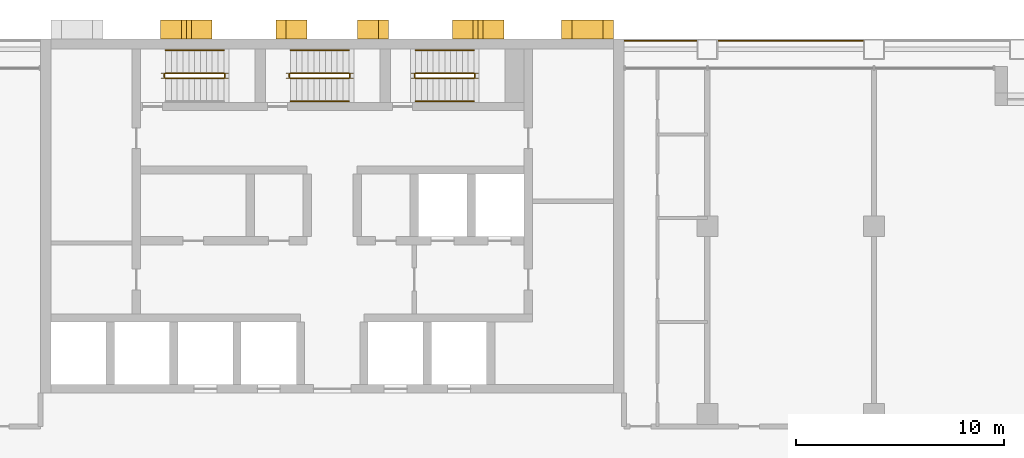
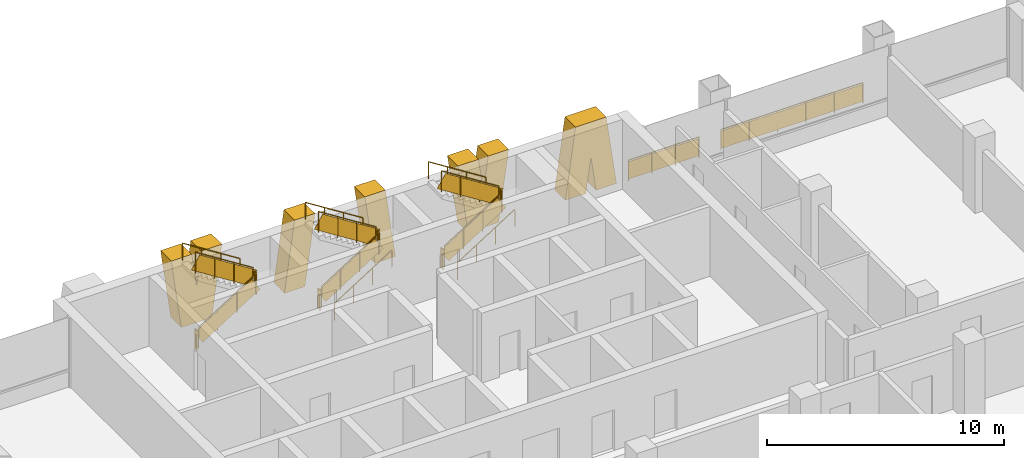
# One storey, part 12 of 13: 19 railings, 5 shading devices.
"""IFC4 building model written with IfcOpenShell, lengths in metres."""

from ifc_helpers import new_model, si_unit, direction, frame, origin, origin_2d, place, context, subcontext, project, spatial, polyline, rectangle, circle, outline, extrude, material, layer, layer_set, type_object, element, save


model = new_model("IFC4")

# Units and contexts
model_context = context("Model", 3, precision=1e-05, world=origin(), true_north=direction((0.0, 1.0)))
body_context = subcontext(model_context, "Body", "Model", "MODEL_VIEW")
ifc_project = project(units=[si_unit("LENGTHUNIT", "METRE"), si_unit("AREAUNIT", "SQUARE_METRE"), si_unit("VOLUMEUNIT", "CUBIC_METRE"), si_unit("PLANEANGLEUNIT", "RADIAN"), si_unit("MASSUNIT", "GRAM", prefix="KILO")], contexts=[model_context])

# Site, building, storey
site_placement = place(None, origin())
site = spatial("IfcSite", under=ifc_project, at=site_placement, CompositionType="ELEMENT")
building_placement = place(site_placement, origin())
building = spatial("IfcBuilding", under=site, at=building_placement, Name="Vidyagriha Tower", CompositionType="ELEMENT")
storey_placement = place(building_placement, frame((0.0, 0.0, 29.89990234375)))
storey = spatial("IfcBuildingStorey", under=building, at=storey_placement, Name="L07", CompositionType="ELEMENT", Elevation=29.89990234375)

# Shading devices
ifc_material_1 = material(Name="Precast concrete C40/50 with brick facing", Category="concrete")
ifc_layer_1 = layer(ifc_material_1, 1.0)
ifc_layer_set_1 = layer_set([ifc_layer_1], Name="Precast concrete C40/50 with brick facing")
shading_device_type_1 = type_object("IfcShadingDeviceType", Name="Brick-faced rear rib arm leaning 8 degrees", PredefinedType="USERDEFINED", material=ifc_layer_set_1)
shading_device_1_placement = place(storey_placement, frame((2.708984375, 20.449951171875, 0.0), z_axis=(0.0, 0.0, 1.0), x_axis=(-1.0, 0.0, 0.0)))
element("IfcShadingDevice", 1, at=shading_device_1_placement, inside=storey, type_object=shading_device_type_1, Name="Rear rib arm L07 R08.3a", ObjectType="BLADE FIN", PredefinedType="USERDEFINED", context=body_context, shape_type="SweptSolid", body=[
    extrude(outline(polyline([(0.0, 0.0), (1.0, 0.0), (1.490966796875, 3.60009765625), (0.490966796875, 3.60009765625), (0.0, 0.0)])), frame((0.0, 0.449951171875, 0.0), z_axis=(0.0, -1.0, 0.0), x_axis=(1.0, 0.0, 0.0)), (0.0, 0.0, 1.0), 0.89990234375),
])
shading_device_2_placement = place(storey_placement, frame((-1.21826171875, 20.449951171875, 0.0), z_axis=(0.0, 0.0, 1.0), x_axis=(-1.0, 0.0, 0.0)))
element("IfcShadingDevice", 2, at=shading_device_2_placement, inside=storey, type_object=shading_device_type_1, Name="Rear rib arm L07 R08.3b", ObjectType="BLADE FIN", PredefinedType="USERDEFINED", context=body_context, shape_type="SweptSolid", body=[
    extrude(outline(polyline([(0.490966796875, 0.0), (1.490966796875, 0.0), (1.0, 3.60009765625), (0.0, 3.60009765625), (0.490966796875, 0.0)])), frame((0.0, 0.449951171875, 0.0), z_axis=(0.0, -1.0, 0.0), x_axis=(1.0, 0.0, 0.0)), (0.0, 0.0, 1.0), 0.89990234375),
])
ifc_material_2 = material(Name="Precast concrete C40/50 with brick facing", Category="concrete")
ifc_layer_2 = layer(ifc_material_2, 1.0)
ifc_layer_set_2 = layer_set([ifc_layer_2], Name="Precast concrete C40/50 with brick facing")
shading_device_type_2 = type_object("IfcShadingDeviceType", Name="Brick-faced rear rib forking 8 degrees", PredefinedType="USERDEFINED", material=ifc_layer_set_2)
shading_device_3_placement = place(storey_placement, frame((13.5, 20.449951171875, 0.0), z_axis=(0.0, 0.0, 1.0), x_axis=(-1.0, 0.0, 0.0)))
element("IfcShadingDevice", 3, at=shading_device_3_placement, inside=storey, type_object=shading_device_type_2, Name="Rear rib fork L07 R08.1a", ObjectType="BLADE FIN", PredefinedType="USERDEFINED", context=body_context, shape_type="SweptSolid", body=[
    extrude(outline(polyline([(1.0, 0.0), (1.25, 1.800048828125), (1.5, 0.0), (2.5, 0.0), (2.0, 3.60009765625), (0.5, 3.60009765625), (0.0, 0.0), (1.0, 0.0)])), frame((0.0, 0.449951171875, 0.0), z_axis=(0.0, -1.0, 0.0), x_axis=(1.0, 0.0, 0.0)), (0.0, 0.0, 1.0), 0.89990234375),
])
for number, where, z_axis, x_axis, name in (
    (4, (8.236328125, 20.449951171875, 0.0), (0.0, 0.0, 1.0), (-1.0, 0.0, 0.0), "Rear rib fork L07 R08.2a"),
    (5, (-5.763671875, 20.449951171875, 0.0), (0.0, 0.0, 1.0), (-1.0, 0.0, 0.0), "Rear rib fork L07 R08.4a"),
):
    element("IfcShadingDevice", number, at=place(storey_placement, frame(where, z_axis=z_axis, x_axis=x_axis)), inside=storey, type_object=shading_device_type_2, Name=name, ObjectType="BLADE FIN", PredefinedType="USERDEFINED", context=body_context, shape_type="SweptSolid", body=[
        extrude(outline(polyline([(0.490966796875, 0.0), (1.98193359375, 0.0), (2.472900390625, 3.60009765625), (1.472900390625, 3.60009765625), (1.236328125, 1.86669921875), (1.0, 3.60009765625), (0.0, 3.60009765625), (0.490966796875, 0.0)])), frame((0.0, 0.449951171875, 0.0), z_axis=(0.0, -1.0, 0.0), x_axis=(1.0, 0.0, 0.0)), (0.0, 0.0, 1.0), 0.89990234375),
    ])

# Railings
ifc_material_3 = material(Name="Steel ASTM A500 Grade C black painted", Category="steel")
railing_type_1 = type_object("IfcRailingType", Name="Gallery guard 1100", PredefinedType="GUARDRAIL", material=ifc_material_3)
railing_1_placement = place(storey_placement, frame((14.030029296875, 19.89990234375, 0.0)))
element("IfcRailing", 6, at=railing_1_placement, inside=storey, type_object=railing_type_1, Name="Gallery guard L07 18", PredefinedType="GUARDRAIL", context=body_context, shape_type="SweptSolid", body=[
    extrude(circle(Radius=0.02490234375, at=origin_2d()), frame((0.0, 0.0, 1.0751953125), z_axis=(1.0, 0.0, 0.0), x_axis=(0.0, 1.0, 0.0)), (0.0, 0.0, 1.0), 3.43994140625),
    extrude(circle(Radius=0.02001953125, at=origin_2d()), origin(), (0.0, 0.0, 1.0), 1.050048828125),
    extrude(circle(Radius=0.02001953125, at=origin_2d()), frame((1.146728515625, 0.0, 0.0)), (0.0, 0.0, 1.0), 1.050048828125),
    extrude(circle(Radius=0.02001953125, at=origin_2d()), frame((2.293212890625, 0.0, 0.0)), (0.0, 0.0, 1.0), 1.050048828125),
    extrude(circle(Radius=0.02001953125, at=origin_2d()), frame((3.43994140625, 0.0, 0.0)), (0.0, 0.0, 1.0), 1.050048828125),
    extrude(rectangle(XDim=0.010009765625, YDim=0.900146484375, at=origin_2d()), frame((0.0, 0.0, 0.550048828125), z_axis=(1.0, 0.0, 0.0), x_axis=(0.0, 1.0, 0.0)), (0.0, 0.0, 1.0), 3.43994140625),
])
railing_2_placement = place(storey_placement, frame((18.530029296875, 19.89990234375, 0.0)))
element("IfcRailing", 7, at=railing_2_placement, inside=storey, type_object=railing_type_1, Name="Gallery guard L07 20", PredefinedType="GUARDRAIL", context=body_context, shape_type="SweptSolid", body=[
    extrude(circle(Radius=0.02490234375, at=origin_2d()), frame((0.0, 0.0, 1.0751953125), z_axis=(1.0, 0.0, 0.0), x_axis=(0.0, 1.0, 0.0)), (0.0, 0.0, 1.0), 6.93994140625),
    extrude(circle(Radius=0.02001953125, at=origin_2d()), origin(), (0.0, 0.0, 1.0), 1.050048828125),
    extrude(circle(Radius=0.02001953125, at=origin_2d()), frame((1.387939453125, 0.0, 0.0)), (0.0, 0.0, 1.0), 1.050048828125),
    extrude(circle(Radius=0.02001953125, at=origin_2d()), frame((2.77587890625, 0.0, 0.0)), (0.0, 0.0, 1.0), 1.050048828125),
    extrude(circle(Radius=0.02001953125, at=origin_2d()), frame((4.1640625, 0.0, 0.0)), (0.0, 0.0, 1.0), 1.050048828125),
    extrude(circle(Radius=0.02001953125, at=origin_2d()), frame((5.552001953125, 0.0, 0.0)), (0.0, 0.0, 1.0), 1.050048828125),
    extrude(circle(Radius=0.02001953125, at=origin_2d()), frame((6.93994140625, 0.0, 0.0)), (0.0, 0.0, 1.0), 1.050048828125),
    extrude(rectangle(XDim=0.010009765625, YDim=0.900146484375, at=origin_2d()), frame((0.0, 0.0, 0.550048828125), z_axis=(1.0, 0.0, 0.0), x_axis=(0.0, 1.0, 0.0)), (0.0, 0.0, 1.0), 6.93994140625),
])
ifc_material_4 = material(Name="Steel ASTM A500 Grade C", Category="steel")
railing_type_2 = type_object("IfcRailingType", Name="Stair guard 1100 mm, steel balustrade", PredefinedType="GUARDRAIL", material=ifc_material_4)
railing_3_placement = place(storey_placement, frame((-8.0, 18.10009765625, 0.177490234375)))
element("IfcRailing", 8, at=railing_3_placement, inside=storey, type_object=railing_type_2, Name="L07 ST1 stair guard 1", PredefinedType="GUARDRAIL", context=body_context, shape_type="SweptSolid", body=[
    extrude(circle(Radius=0.02392578125, at=origin_2d()), frame((0.0, 0.0, 1.076171875), z_axis=(0.844908973607, 0.0, 0.534910110503), x_axis=(0.0, 1.0, 0.0)), (0.0, 0.0, 1.0), 3.31396484375),
    extrude(circle(Radius=0.02099609375, at=origin_2d()), origin(), (0.0, 0.0, 1.0), 1.052001953125),
    extrude(circle(Radius=0.02099609375, at=origin_2d()), frame((0.933349609375, 0.0, 0.5908203125)), (0.0, 0.0, 1.0), 1.052001953125),
    extrude(circle(Radius=0.02099609375, at=origin_2d()), frame((1.86669921875, 0.0, 1.181884765625)), (0.0, 0.0, 1.0), 1.052001953125),
    extrude(circle(Radius=0.02099609375, at=origin_2d()), frame((2.800048828125, 0.0, 1.772705078125)), (0.0, 0.0, 1.0), 1.052001953125),
    extrude(rectangle(XDim=0.010009765625, YDim=0.76220703125, at=origin_2d()), frame((0.0, 0.0, 0.551025390625), z_axis=(0.844908973607, 0.0, 0.534910110503), x_axis=(0.0, 1.0, 0.0)), (0.0, 0.0, 1.0), 3.31396484375),
])
railing_4_placement = place(storey_placement, frame((-5.14990234375, 18.14990234375, 1.9501953125)))
element("IfcRailing", 9, at=railing_4_placement, inside=storey, type_object=railing_type_2, Name="L07 ST1 stair guard 2", PredefinedType="GUARDRAIL", context=body_context, shape_type="SweptSolid", body=[
    extrude(circle(Radius=0.02392578125, at=origin_2d()), frame((0.0, 0.0, 1.076171875), z_axis=(0.0, 1.0, 0.0), x_axis=(-1.0, 0.0, 0.0)), (0.0, 0.0, 1.0), 0.150146484375),
    extrude(circle(Radius=0.02099609375, at=origin_2d()), origin(), (0.0, 0.0, 1.0), 1.052001953125),
    extrude(circle(Radius=0.02099609375, at=origin_2d()), frame((0.0, 0.150146484375, 0.0)), (0.0, 0.0, 1.0), 1.052001953125),
    extrude(rectangle(XDim=0.010009765625, YDim=0.902099609375, at=origin_2d()), frame((0.0, 0.0, 0.551025390625), z_axis=(0.0, 1.0, 0.0), x_axis=(-1.0, 0.0, 0.0)), (0.0, 0.0, 1.0), 0.150146484375),
])
railing_5_placement = place(storey_placement, frame((-5.199951171875, 18.35009765625, 2.12744140625)))
element("IfcRailing", 10, at=railing_5_placement, inside=storey, type_object=railing_type_2, Name="L07 ST1 stair guard 3", PredefinedType="GUARDRAIL", context=body_context, shape_type="SweptSolid", body=[
    extrude(circle(Radius=0.02392578125, at=origin_2d()), frame((0.0, 0.0, 1.076171875), z_axis=(-0.844908973607, 0.0, 0.534910110503), x_axis=(0.0, -1.0, 0.0)), (0.0, 0.0, 1.0), 3.31396484375),
    extrude(circle(Radius=0.02099609375, at=origin_2d()), origin(), (0.0, 0.0, 1.0), 1.052001953125),
    extrude(circle(Radius=0.02099609375, at=origin_2d()), frame((-0.933349609375, 0.0, 0.5908203125)), (0.0, 0.0, 1.0), 1.052001953125),
    extrude(circle(Radius=0.02099609375, at=origin_2d()), frame((-1.86669921875, 0.0, 1.181884765625)), (0.0, 0.0, 1.0), 1.052001953125),
    extrude(circle(Radius=0.02099609375, at=origin_2d()), frame((-2.800048828125, 0.0, 1.772705078125)), (0.0, 0.0, 1.0), 1.052001953125),
    extrude(rectangle(XDim=0.010009765625, YDim=0.76220703125, at=origin_2d()), frame((0.0, 0.0, 0.551025390625), z_axis=(-0.844908973607, 0.0, 0.534910110503), x_axis=(0.0, -1.0, 0.0)), (0.0, 0.0, 1.0), 3.31396484375),
])
railing_6_placement = place(storey_placement, frame((-8.050048828125, 18.14990234375, 0.0)))
element("IfcRailing", 11, at=railing_6_placement, inside=storey, type_object=railing_type_2, Name="L07 ST1 stair guard 4", PredefinedType="GUARDRAIL", context=body_context, shape_type="SweptSolid", body=[
    extrude(circle(Radius=0.02392578125, at=origin_2d()), frame((0.0, 0.0, 1.076171875), z_axis=(0.0, 1.0, 0.0), x_axis=(-1.0, 0.0, 0.0)), (0.0, 0.0, 1.0), 0.150146484375),
    extrude(circle(Radius=0.02099609375, at=origin_2d()), origin(), (0.0, 0.0, 1.0), 1.052001953125),
    extrude(circle(Radius=0.02099609375, at=origin_2d()), frame((0.0, 0.150146484375, 0.0)), (0.0, 0.0, 1.0), 1.052001953125),
    extrude(rectangle(XDim=0.010009765625, YDim=0.902099609375, at=origin_2d()), frame((0.0, 0.0, 0.551025390625), z_axis=(0.0, 1.0, 0.0), x_axis=(-1.0, 0.0, 0.0)), (0.0, 0.0, 1.0), 0.150146484375),
])
railing_7_placement = place(storey_placement, frame((-2.0, 18.10009765625, 0.177490234375)))
element("IfcRailing", 12, at=railing_7_placement, inside=storey, type_object=railing_type_2, Name="L07 ST2 stair guard 1", PredefinedType="GUARDRAIL", context=body_context, shape_type="SweptSolid", body=[
    extrude(circle(Radius=0.02392578125, at=origin_2d()), frame((0.0, 0.0, 1.076171875), z_axis=(0.844908973607, 0.0, 0.534910110503), x_axis=(0.0, 1.0, 0.0)), (0.0, 0.0, 1.0), 3.31396484375),
    extrude(circle(Radius=0.02099609375, at=origin_2d()), origin(), (0.0, 0.0, 1.0), 1.052001953125),
    extrude(circle(Radius=0.02099609375, at=origin_2d()), frame((0.933349609375, 0.0, 0.5908203125)), (0.0, 0.0, 1.0), 1.052001953125),
    extrude(circle(Radius=0.02099609375, at=origin_2d()), frame((1.86669921875, 0.0, 1.181884765625)), (0.0, 0.0, 1.0), 1.052001953125),
    extrude(circle(Radius=0.02099609375, at=origin_2d()), frame((2.800048828125, 0.0, 1.772705078125)), (0.0, 0.0, 1.0), 1.052001953125),
    extrude(rectangle(XDim=0.010009765625, YDim=0.76220703125, at=origin_2d()), frame((0.0, 0.0, 0.551025390625), z_axis=(0.844908973607, 0.0, 0.534910110503), x_axis=(0.0, 1.0, 0.0)), (0.0, 0.0, 1.0), 3.31396484375),
])
railing_8_placement = place(storey_placement, frame((0.85009765625, 18.14990234375, 1.9501953125)))
element("IfcRailing", 13, at=railing_8_placement, inside=storey, type_object=railing_type_2, Name="L07 ST2 stair guard 2", PredefinedType="GUARDRAIL", context=body_context, shape_type="SweptSolid", body=[
    extrude(circle(Radius=0.02392578125, at=origin_2d()), frame((0.0, 0.0, 1.076171875), z_axis=(0.0, 1.0, 0.0), x_axis=(-1.0, 0.0, 0.0)), (0.0, 0.0, 1.0), 0.150146484375),
    extrude(circle(Radius=0.02099609375, at=origin_2d()), origin(), (0.0, 0.0, 1.0), 1.052001953125),
    extrude(circle(Radius=0.02099609375, at=origin_2d()), frame((0.0, 0.150146484375, 0.0)), (0.0, 0.0, 1.0), 1.052001953125),
    extrude(rectangle(XDim=0.010009765625, YDim=0.902099609375, at=origin_2d()), frame((0.0, 0.0, 0.551025390625), z_axis=(0.0, 1.0, 0.0), x_axis=(-1.0, 0.0, 0.0)), (0.0, 0.0, 1.0), 0.150146484375),
])
railing_9_placement = place(storey_placement, frame((0.800048828125, 18.35009765625, 2.12744140625)))
element("IfcRailing", 14, at=railing_9_placement, inside=storey, type_object=railing_type_2, Name="L07 ST2 stair guard 3", PredefinedType="GUARDRAIL", context=body_context, shape_type="SweptSolid", body=[
    extrude(circle(Radius=0.02392578125, at=origin_2d()), frame((0.0, 0.0, 1.076171875), z_axis=(-0.844908973607, 0.0, 0.534910110503), x_axis=(0.0, -1.0, 0.0)), (0.0, 0.0, 1.0), 3.31396484375),
    extrude(circle(Radius=0.02099609375, at=origin_2d()), origin(), (0.0, 0.0, 1.0), 1.052001953125),
    extrude(circle(Radius=0.02099609375, at=origin_2d()), frame((-0.933349609375, 0.0, 0.5908203125)), (0.0, 0.0, 1.0), 1.052001953125),
    extrude(circle(Radius=0.02099609375, at=origin_2d()), frame((-1.86669921875, 0.0, 1.181884765625)), (0.0, 0.0, 1.0), 1.052001953125),
    extrude(circle(Radius=0.02099609375, at=origin_2d()), frame((-2.800048828125, 0.0, 1.772705078125)), (0.0, 0.0, 1.0), 1.052001953125),
    extrude(rectangle(XDim=0.010009765625, YDim=0.76220703125, at=origin_2d()), frame((0.0, 0.0, 0.551025390625), z_axis=(-0.844908973607, 0.0, 0.534910110503), x_axis=(0.0, -1.0, 0.0)), (0.0, 0.0, 1.0), 3.31396484375),
])
railing_10_placement = place(storey_placement, frame((-2.050048828125, 18.14990234375, 0.0)))
element("IfcRailing", 15, at=railing_10_placement, inside=storey, type_object=railing_type_2, Name="L07 ST2 stair guard 4", PredefinedType="GUARDRAIL", context=body_context, shape_type="SweptSolid", body=[
    extrude(circle(Radius=0.02392578125, at=origin_2d()), frame((0.0, 0.0, 1.076171875), z_axis=(0.0, 1.0, 0.0), x_axis=(-1.0, 0.0, 0.0)), (0.0, 0.0, 1.0), 0.150146484375),
    extrude(circle(Radius=0.02099609375, at=origin_2d()), origin(), (0.0, 0.0, 1.0), 1.052001953125),
    extrude(circle(Radius=0.02099609375, at=origin_2d()), frame((0.0, 0.150146484375, 0.0)), (0.0, 0.0, 1.0), 1.052001953125),
    extrude(rectangle(XDim=0.010009765625, YDim=0.902099609375, at=origin_2d()), frame((0.0, 0.0, 0.551025390625), z_axis=(0.0, 1.0, 0.0), x_axis=(-1.0, 0.0, 0.0)), (0.0, 0.0, 1.0), 0.150146484375),
])
railing_11_placement = place(storey_placement, frame((4.0, 18.10009765625, 0.177490234375)))
element("IfcRailing", 16, at=railing_11_placement, inside=storey, type_object=railing_type_2, Name="L07 ST3 stair guard 1", PredefinedType="GUARDRAIL", context=body_context, shape_type="SweptSolid", body=[
    extrude(circle(Radius=0.02392578125, at=origin_2d()), frame((0.0, 0.0, 1.076171875), z_axis=(0.844908973607, 0.0, 0.534910110503), x_axis=(0.0, 1.0, 0.0)), (0.0, 0.0, 1.0), 3.31396484375),
    extrude(circle(Radius=0.02099609375, at=origin_2d()), origin(), (0.0, 0.0, 1.0), 1.052001953125),
    extrude(circle(Radius=0.02099609375, at=origin_2d()), frame((0.933349609375, 0.0, 0.5908203125)), (0.0, 0.0, 1.0), 1.052001953125),
    extrude(circle(Radius=0.02099609375, at=origin_2d()), frame((1.86669921875, 0.0, 1.181884765625)), (0.0, 0.0, 1.0), 1.052001953125),
    extrude(circle(Radius=0.02099609375, at=origin_2d()), frame((2.800048828125, 0.0, 1.772705078125)), (0.0, 0.0, 1.0), 1.052001953125),
    extrude(rectangle(XDim=0.010009765625, YDim=0.76220703125, at=origin_2d()), frame((0.0, 0.0, 0.551025390625), z_axis=(0.844908973607, 0.0, 0.534910110503), x_axis=(0.0, 1.0, 0.0)), (0.0, 0.0, 1.0), 3.31396484375),
])
railing_12_placement = place(storey_placement, frame((6.85009765625, 18.14990234375, 1.9501953125)))
element("IfcRailing", 17, at=railing_12_placement, inside=storey, type_object=railing_type_2, Name="L07 ST3 stair guard 2", PredefinedType="GUARDRAIL", context=body_context, shape_type="SweptSolid", body=[
    extrude(circle(Radius=0.02392578125, at=origin_2d()), frame((0.0, 0.0, 1.076171875), z_axis=(0.0, 1.0, 0.0), x_axis=(-1.0, 0.0, 0.0)), (0.0, 0.0, 1.0), 0.150146484375),
    extrude(circle(Radius=0.02099609375, at=origin_2d()), origin(), (0.0, 0.0, 1.0), 1.052001953125),
    extrude(circle(Radius=0.02099609375, at=origin_2d()), frame((0.0, 0.150146484375, 0.0)), (0.0, 0.0, 1.0), 1.052001953125),
    extrude(rectangle(XDim=0.010009765625, YDim=0.902099609375, at=origin_2d()), frame((0.0, 0.0, 0.551025390625), z_axis=(0.0, 1.0, 0.0), x_axis=(-1.0, 0.0, 0.0)), (0.0, 0.0, 1.0), 0.150146484375),
])
railing_13_placement = place(storey_placement, frame((6.800048828125, 18.35009765625, 2.12744140625)))
element("IfcRailing", 18, at=railing_13_placement, inside=storey, type_object=railing_type_2, Name="L07 ST3 stair guard 3", PredefinedType="GUARDRAIL", context=body_context, shape_type="SweptSolid", body=[
    extrude(circle(Radius=0.02392578125, at=origin_2d()), frame((0.0, 0.0, 1.076171875), z_axis=(-0.844908973607, 0.0, 0.534910110503), x_axis=(0.0, -1.0, 0.0)), (0.0, 0.0, 1.0), 3.31396484375),
    extrude(circle(Radius=0.02099609375, at=origin_2d()), origin(), (0.0, 0.0, 1.0), 1.052001953125),
    extrude(circle(Radius=0.02099609375, at=origin_2d()), frame((-0.933349609375, 0.0, 0.5908203125)), (0.0, 0.0, 1.0), 1.052001953125),
    extrude(circle(Radius=0.02099609375, at=origin_2d()), frame((-1.86669921875, 0.0, 1.181884765625)), (0.0, 0.0, 1.0), 1.052001953125),
    extrude(circle(Radius=0.02099609375, at=origin_2d()), frame((-2.800048828125, 0.0, 1.772705078125)), (0.0, 0.0, 1.0), 1.052001953125),
    extrude(rectangle(XDim=0.010009765625, YDim=0.76220703125, at=origin_2d()), frame((0.0, 0.0, 0.551025390625), z_axis=(-0.844908973607, 0.0, 0.534910110503), x_axis=(0.0, -1.0, 0.0)), (0.0, 0.0, 1.0), 3.31396484375),
])
railing_14_placement = place(storey_placement, frame((3.949951171875, 18.14990234375, 0.0)))
element("IfcRailing", 19, at=railing_14_placement, inside=storey, type_object=railing_type_2, Name="L07 ST3 stair guard 4", PredefinedType="GUARDRAIL", context=body_context, shape_type="SweptSolid", body=[
    extrude(circle(Radius=0.02392578125, at=origin_2d()), frame((0.0, 0.0, 1.076171875), z_axis=(0.0, 1.0, 0.0), x_axis=(-1.0, 0.0, 0.0)), (0.0, 0.0, 1.0), 0.150146484375),
    extrude(circle(Radius=0.02099609375, at=origin_2d()), origin(), (0.0, 0.0, 1.0), 1.052001953125),
    extrude(circle(Radius=0.02099609375, at=origin_2d()), frame((0.0, 0.150146484375, 0.0)), (0.0, 0.0, 1.0), 1.052001953125),
    extrude(rectangle(XDim=0.010009765625, YDim=0.902099609375, at=origin_2d()), frame((0.0, 0.0, 0.551025390625), z_axis=(0.0, 1.0, 0.0), x_axis=(-1.0, 0.0, 0.0)), (0.0, 0.0, 1.0), 0.150146484375),
])
ifc_material_5 = material(Name="Steel ASTM A500 Grade C", Category="steel")
railing_type_3 = type_object("IfcRailingType", Name="Stair handrail 900 mm, steel", PredefinedType="HANDRAIL", material=ifc_material_5)
railing_15_placement = place(storey_placement, frame((-5.199951171875, 19.449951171875, 2.12744140625)))
element("IfcRailing", 20, at=railing_15_placement, inside=storey, type_object=railing_type_3, Name="L07 ST1 stair handrail 2", PredefinedType="HANDRAIL", context=body_context, shape_type="SweptSolid", body=[
    extrude(circle(Radius=0.02392578125, at=origin_2d()), frame((0.0, 0.0, 0.8759765625), z_axis=(-0.844908973607, 0.0, 0.534910110503), x_axis=(0.0, -1.0, 0.0)), (0.0, 0.0, 1.0), 3.31396484375),
    extrude(circle(Radius=0.02099609375, at=origin_2d()), origin(), (0.0, 0.0, 1.0), 0.851806640625),
    extrude(circle(Radius=0.02099609375, at=origin_2d()), frame((-0.933349609375, 0.0, 0.5908203125)), (0.0, 0.0, 1.0), 0.851806640625),
    extrude(circle(Radius=0.02099609375, at=origin_2d()), frame((-1.86669921875, 0.0, 1.181884765625)), (0.0, 0.0, 1.0), 0.851806640625),
    extrude(circle(Radius=0.02099609375, at=origin_2d()), frame((-2.800048828125, 0.0, 1.772705078125)), (0.0, 0.0, 1.0), 0.851806640625),
])
railing_16_placement = place(storey_placement, frame((-2.0, 17.0, 0.177490234375)))
element("IfcRailing", 21, at=railing_16_placement, inside=storey, type_object=railing_type_3, Name="L07 ST2 stair handrail 1", PredefinedType="HANDRAIL", context=body_context, shape_type="SweptSolid", body=[
    extrude(circle(Radius=0.02392578125, at=origin_2d()), frame((0.0, 0.0, 0.8759765625), z_axis=(0.844908973607, 0.0, 0.534910110503), x_axis=(0.0, 1.0, 0.0)), (0.0, 0.0, 1.0), 3.31396484375),
    extrude(circle(Radius=0.02099609375, at=origin_2d()), origin(), (0.0, 0.0, 1.0), 0.851806640625),
    extrude(circle(Radius=0.02099609375, at=origin_2d()), frame((0.933349609375, 0.0, 0.5908203125)), (0.0, 0.0, 1.0), 0.851806640625),
    extrude(circle(Radius=0.02099609375, at=origin_2d()), frame((1.86669921875, 0.0, 1.181884765625)), (0.0, 0.0, 1.0), 0.851806640625),
    extrude(circle(Radius=0.02099609375, at=origin_2d()), frame((2.800048828125, 0.0, 1.772705078125)), (0.0, 0.0, 1.0), 0.851806640625),
])
railing_17_placement = place(storey_placement, frame((0.800048828125, 19.449951171875, 2.12744140625)))
element("IfcRailing", 22, at=railing_17_placement, inside=storey, type_object=railing_type_3, Name="L07 ST2 stair handrail 2", PredefinedType="HANDRAIL", context=body_context, shape_type="SweptSolid", body=[
    extrude(circle(Radius=0.02392578125, at=origin_2d()), frame((0.0, 0.0, 0.8759765625), z_axis=(-0.844908973607, 0.0, 0.534910110503), x_axis=(0.0, -1.0, 0.0)), (0.0, 0.0, 1.0), 3.31396484375),
    extrude(circle(Radius=0.02099609375, at=origin_2d()), origin(), (0.0, 0.0, 1.0), 0.851806640625),
    extrude(circle(Radius=0.02099609375, at=origin_2d()), frame((-0.933349609375, 0.0, 0.5908203125)), (0.0, 0.0, 1.0), 0.851806640625),
    extrude(circle(Radius=0.02099609375, at=origin_2d()), frame((-1.86669921875, 0.0, 1.181884765625)), (0.0, 0.0, 1.0), 0.851806640625),
    extrude(circle(Radius=0.02099609375, at=origin_2d()), frame((-2.800048828125, 0.0, 1.772705078125)), (0.0, 0.0, 1.0), 0.851806640625),
])
railing_18_placement = place(storey_placement, frame((4.0, 17.0, 0.177490234375)))
element("IfcRailing", 23, at=railing_18_placement, inside=storey, type_object=railing_type_3, Name="L07 ST3 stair handrail 1", PredefinedType="HANDRAIL", context=body_context, shape_type="SweptSolid", body=[
    extrude(circle(Radius=0.02392578125, at=origin_2d()), frame((0.0, 0.0, 0.8759765625), z_axis=(0.844908973607, 0.0, 0.534910110503), x_axis=(0.0, 1.0, 0.0)), (0.0, 0.0, 1.0), 3.31396484375),
    extrude(circle(Radius=0.02099609375, at=origin_2d()), origin(), (0.0, 0.0, 1.0), 0.851806640625),
    extrude(circle(Radius=0.02099609375, at=origin_2d()), frame((0.933349609375, 0.0, 0.5908203125)), (0.0, 0.0, 1.0), 0.851806640625),
    extrude(circle(Radius=0.02099609375, at=origin_2d()), frame((1.86669921875, 0.0, 1.181884765625)), (0.0, 0.0, 1.0), 0.851806640625),
    extrude(circle(Radius=0.02099609375, at=origin_2d()), frame((2.800048828125, 0.0, 1.772705078125)), (0.0, 0.0, 1.0), 0.851806640625),
])
railing_19_placement = place(storey_placement, frame((6.800048828125, 19.449951171875, 2.12744140625)))
element("IfcRailing", 24, at=railing_19_placement, inside=storey, type_object=railing_type_3, Name="L07 ST3 stair handrail 2", PredefinedType="HANDRAIL", context=body_context, shape_type="SweptSolid", body=[
    extrude(circle(Radius=0.02392578125, at=origin_2d()), frame((0.0, 0.0, 0.8759765625), z_axis=(-0.844908973607, 0.0, 0.534910110503), x_axis=(0.0, -1.0, 0.0)), (0.0, 0.0, 1.0), 3.31396484375),
    extrude(circle(Radius=0.02099609375, at=origin_2d()), origin(), (0.0, 0.0, 1.0), 0.851806640625),
    extrude(circle(Radius=0.02099609375, at=origin_2d()), frame((-0.933349609375, 0.0, 0.5908203125)), (0.0, 0.0, 1.0), 0.851806640625),
    extrude(circle(Radius=0.02099609375, at=origin_2d()), frame((-1.86669921875, 0.0, 1.181884765625)), (0.0, 0.0, 1.0), 0.851806640625),
    extrude(circle(Radius=0.02099609375, at=origin_2d()), frame((-2.800048828125, 0.0, 1.772705078125)), (0.0, 0.0, 1.0), 0.851806640625),
])

save(model, "model.ifc")
